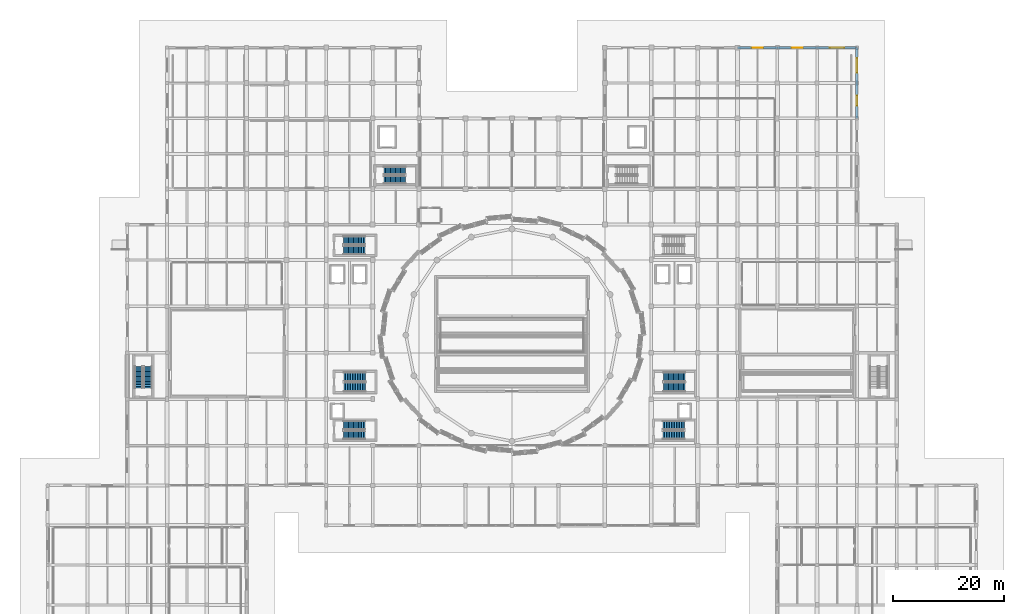
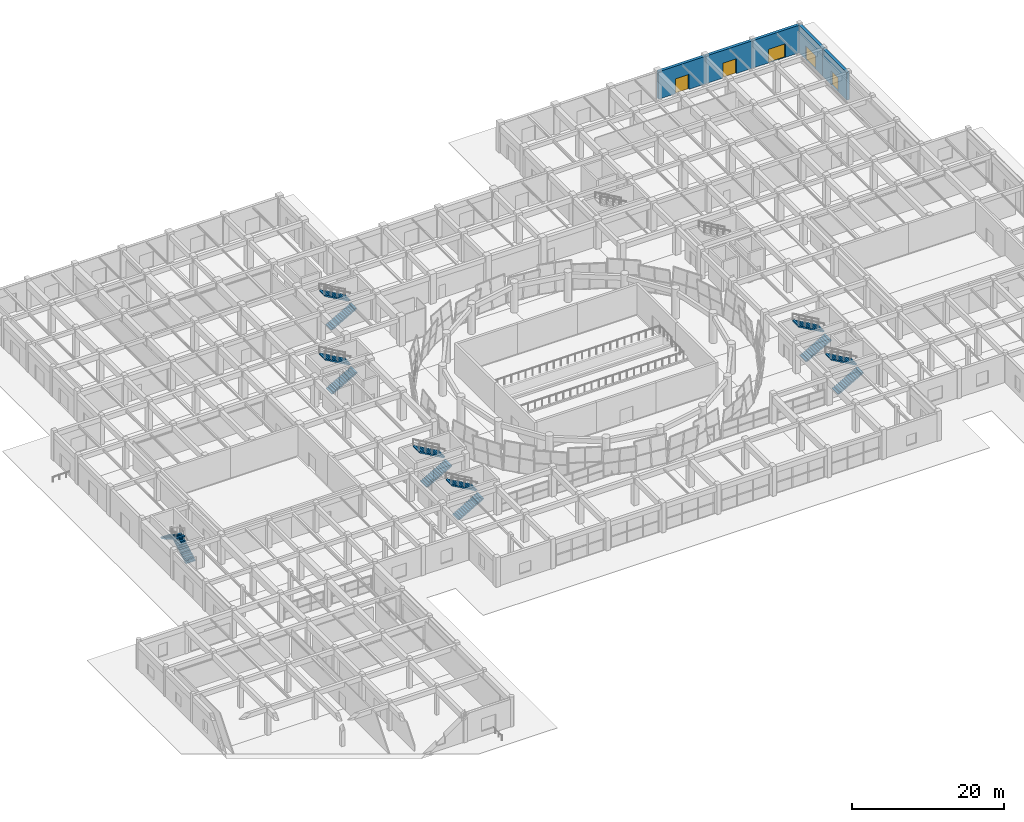
# One storey, part 54 of 72: 14 stair flights, 5 doors, 5 walls, 5 openings, 7 elements without a shape of their own.
"""IFC4 building model written with IfcOpenShell, lengths in metres."""

import ifcopenshell
import ifcopenshell.guid

model = None  # the IFC model being written
_history = None  # IfcOwnerHistory: only IFC2X3 demands one
_inside = {}  # id of a spatial element -> (the spatial element, [elements in it])
_under = {}  # id of a project, library or spatial element -> (it, [spatial elements below it])
_declared = {}  # id of a project -> (the project, [libraries it declares])
_typed = {}  # id of a type object -> (the type object, [elements of that type])
_made_of = {}  # id of a material, layer set ... -> (it, [elements and type objects made of it])


def new_model(schema):
    """Start an empty IFC model of exactly this schema.

    Asked for "IFC4X3", IfcOpenShell would pick the latest addendum, in which some entities
    have other attributes; the version numbers below select the first issue.
    IFC2X3 requires an IfcOwnerHistory on every rooted entity: one is made here for all.
    """
    global model, _history
    if schema == "IFC4X3":
        model = ifcopenshell.file(schema_version=(4, 3, 0, 0))
    else:
        model = ifcopenshell.file(schema=schema)
    _inside.clear()
    _under.clear()
    _declared.clear()
    _typed.clear()
    _made_of.clear()
    _history = None
    if model.schema == "IFC2X3":
        org = make("IfcOrganization", Name="unknown")
        user = make(
            "IfcPersonAndOrganization",
            ThePerson=make("IfcPerson", FamilyName="unknown"),
            TheOrganization=org,
        )
        app = make(
            "IfcApplication",
            ApplicationDeveloper=org,
            Version="unknown",
            ApplicationFullName="unknown",
            ApplicationIdentifier="unknown",
        )
        _history = make(
            "IfcOwnerHistory",
            OwningUser=user,
            OwningApplication=app,
            ChangeAction="ADDED",
            CreationDate=0,
        )
    return model


def make(cls, **values):
    """One entity of the class cls with the attributes given. An attribute that is None is left unset."""
    return model.create_entity(
        cls, **{name: value for name, value in values.items() if value is not None}
    )


def rooted(cls, **values):
    """An entity with a GlobalId (a new one), such as an element, a storey or a relation."""
    return make(cls, GlobalId=ifcopenshell.guid.new(), OwnerHistory=_history, **values)


def si_unit(unit_type, name, prefix=None):
    """IfcSIUnit, for example si_unit("LENGTHUNIT", "METRE", prefix="MILLI")."""
    return make("IfcSIUnit", UnitType=unit_type, Prefix=prefix, Name=name)


def assignment(units):
    """IfcUnitAssignment: the units of a project."""
    return None if units is None else make("IfcUnitAssignment", Units=units)


def point(xyz):
    """IfcCartesianPoint."""
    return None if xyz is None else make("IfcCartesianPoint", Coordinates=xyz)


def direction(xyz):
    """IfcDirection."""
    return None if xyz is None else make("IfcDirection", DirectionRatios=xyz)


def frame(location, z_axis=None, x_axis=None):
    """IfcAxis2Placement3D, a coordinate frame: its origin and axes. An axis left out is left unset."""
    return make(
        "IfcAxis2Placement3D",
        Location=point(location),
        Axis=direction(z_axis),
        RefDirection=direction(x_axis),
    )


def frame_2d(location, x_axis=None):
    """IfcAxis2Placement2D, a coordinate frame in the plane: its origin and x axis."""
    return make(
        "IfcAxis2Placement2D", Location=point(location), RefDirection=direction(x_axis)
    )


def origin():
    """The frame at (0, 0, 0) with its axes left unset."""
    return frame((0.0, 0.0, 0.0))


def place(relative_to, where):
    """IfcLocalPlacement: puts the frame where relative to a parent placement (None: the world)."""
    return make(
        "IfcLocalPlacement", PlacementRelTo=relative_to, RelativePlacement=where
    )


def context(
    kind, dimensions, precision=None, world=None, true_north=None, identifier=None
):
    """IfcGeometricRepresentationContext, for example the 3D "Model" context."""
    return make(
        "IfcGeometricRepresentationContext",
        ContextIdentifier=identifier,
        ContextType=kind,
        CoordinateSpaceDimension=dimensions,
        Precision=precision,
        WorldCoordinateSystem=world,
        TrueNorth=true_north,
    )


def subcontext(parent, identifier, kind, view, scale=None):
    """IfcGeometricRepresentationSubContext, for example "Body" below "Model"."""
    return make(
        "IfcGeometricRepresentationSubContext",
        ContextIdentifier=identifier,
        ContextType=kind,
        ParentContext=parent,
        TargetScale=scale,
        TargetView=view,
    )


def project(units=None, contexts=None):
    """IfcProject with its units and contexts."""
    return rooted(
        "IfcProject",
        Name="project",
        RepresentationContexts=contexts,
        UnitsInContext=assignment(units),
    )


def spatial(cls, under=None, at=None, **own):
    """A site, building, storey or space (cls), placed at a placement, below another one or the project."""
    s = rooted(cls, ObjectPlacement=at, **own)
    if under is not None:
        _under.setdefault(under.id(), (under, []))[1].append(s)
    return s


def polyline(points):
    """IfcPolyline through the points."""
    return make("IfcPolyline", Points=[point(p) for p in points])


def profile(cls, at=None, kind="AREA", **sizes):
    """A parametric profile (cls). Its sizes go by their IFC names, for example OverallWidth=200.0."""
    return make(cls, ProfileType=kind, Position=at, **sizes)


def rectangle(**sizes):
    """IfcRectangleProfileDef."""
    return profile("IfcRectangleProfileDef", **sizes)


def outline(outer, holes=None, kind="AREA"):
    """IfcArbitraryClosedProfileDef: a profile drawn as a closed curve; with holes, ...WithVoids."""
    if holes is None:
        return make("IfcArbitraryClosedProfileDef", ProfileType=kind, OuterCurve=outer)
    return make(
        "IfcArbitraryProfileDefWithVoids",
        ProfileType=kind,
        OuterCurve=outer,
        InnerCurves=holes,
    )


def extrude(swept, where, along, depth):
    """IfcExtrudedAreaSolid: the profile swept, set in the frame where, extruded along a direction by depth."""
    return make(
        "IfcExtrudedAreaSolid",
        SweptArea=swept,
        Position=where,
        ExtrudedDirection=direction(along),
        Depth=depth,
    )


def shape(context_of_items, identifier, shape_type, items):
    """IfcShapeRepresentation: the items that make up one representation, for example the "Body"."""
    return make(
        "IfcShapeRepresentation",
        ContextOfItems=context_of_items,
        RepresentationIdentifier=identifier,
        RepresentationType=shape_type,
        Items=items,
    )


def material(Name=None, Category=None):
    """IfcMaterial."""
    return make("IfcMaterial", Name=Name, Category=Category)


def layer(
    of_material, thickness, ventilated=None, Name=None, Category=None, Priority=None
):
    """IfcMaterialLayer: one layer of a wall or slab, of a material (None: an air gap)."""
    return make(
        "IfcMaterialLayer",
        Material=of_material,
        LayerThickness=thickness,
        IsVentilated=ventilated,
        Name=Name,
        Category=Category,
        Priority=Priority,
    )


def layer_set(layers, Name=None):
    """IfcMaterialLayerSet."""
    return make("IfcMaterialLayerSet", MaterialLayers=layers, LayerSetName=Name)


def made_of(thing, what):
    """Note that an element or type object is made of a material, layer set ...; save() writes the relation."""
    if what is not None:
        _made_of.setdefault(what.id(), (what, []))[1].append(thing)
    return thing


def type_object(cls, material=None, **own):
    """A type object (cls), such as IfcWallType, which elements share."""
    return made_of(rooted(cls, **own), material)


def element(
    cls,
    number,
    at=None,
    inside=None,
    cuts=None,
    type_object=None,
    material=None,
    context=None,
    identifier="Body",
    shape_type=None,
    held_by="IfcProductDefinitionShape",
    body=None,
    shapes=None,
    **own,
):
    """One element of the class cls, such as IfcWall. Its Tag is "e" and its number.

    at: its placement. inside: the storey or other place that contains it. cuts: it is an
    opening in that element (IfcRelVoidsElement). A single representation is given by context,
    identifier, shape_type and body (its items); several are given by shapes. held_by: the class
    of the entity that holds the representations. save() writes the other relations.
    """
    e = rooted(cls, Tag="e%d" % number, ObjectPlacement=at, **own)
    if body is not None:
        shapes = [shape(context, identifier, shape_type, body)]
    if shapes is not None:
        e.Representation = make(held_by, Representations=shapes)
    if inside is not None:
        _inside.setdefault(inside.id(), (inside, []))[1].append(e)
    if cuts is not None:
        rooted(
            "IfcRelVoidsElement", RelatingBuildingElement=cuts, RelatedOpeningElement=e
        )
    if type_object is not None:
        _typed.setdefault(type_object.id(), (type_object, []))[1].append(e)
    return made_of(e, material)


def fill(opening, filler):
    """IfcRelFillsElement: the door or window that sits in an opening."""
    return rooted(
        "IfcRelFillsElement",
        RelatingOpeningElement=opening,
        RelatedBuildingElement=filler,
    )


def aggregate(whole, parts):
    """IfcRelAggregates: a whole, such as a stair, and the parts it consists of."""
    return rooted("IfcRelAggregates", RelatingObject=whole, RelatedObjects=parts)


def save(model, path):
    """Write the relations noted so far, then the file.

    IfcRelAggregates (storeys below a building ...), IfcRelContainedInSpatialStructure (elements
    in a storey), IfcRelDefinesByType, IfcRelAssociatesMaterial and IfcRelDeclares: one each for
    every whole, place, type object, material and project.
    """
    for whole, parts in _under.values():
        aggregate(whole, parts)
    for where, things in _inside.values():
        rooted(
            "IfcRelContainedInSpatialStructure",
            RelatedElements=things,
            RelatingStructure=where,
        )
    for kind, things in _typed.values():
        rooted("IfcRelDefinesByType", RelatedObjects=things, RelatingType=kind)
    for what, things in _made_of.values():
        rooted("IfcRelAssociatesMaterial", RelatedObjects=things, RelatingMaterial=what)
    for by, libraries in _declared.values():
        rooted("IfcRelDeclares", RelatingContext=by, RelatedDefinitions=libraries)
    model.write(path)


model = new_model("IFC4")

# Units and contexts
model_context = context("Model", 3, precision=1e-05, world=origin(), true_north=direction((0.0, 1.0)))
body_context = subcontext(model_context, "Body", "Model", "MODEL_VIEW")
ifc_project = project(units=[si_unit("LENGTHUNIT", "METRE"), si_unit("AREAUNIT", "SQUARE_METRE"), si_unit("VOLUMEUNIT", "CUBIC_METRE"), si_unit("PLANEANGLEUNIT", "RADIAN"), si_unit("MASSUNIT", "GRAM", prefix="KILO")], contexts=[model_context])

# Site, building, storey
site_placement = place(None, origin())
site = spatial("IfcSite", under=ifc_project, at=site_placement, CompositionType="ELEMENT")
building_placement = place(site_placement, origin())
building = spatial("IfcBuilding", under=site, at=building_placement, Name="Korsvaeld Concert Hall", CompositionType="ELEMENT")
storey_placement = place(building_placement, origin())
storey = spatial("IfcBuildingStorey", under=building, at=storey_placement, Name="L00", CompositionType="ELEMENT", Elevation=0.0)

# Wall, opening, door
ifc_material_1 = material(Name="Coastal dark grey granite plinth on Concrete C35/45", Category="masonry")
ifc_layer = layer(ifc_material_1, 0.43994140625)
ifc_layer_set = layer_set([ifc_layer], Name="Coastal dark grey granite plinth on Concrete C35/45")
wall_type = type_object("IfcWallType", Name="WL-EXT-GRAN-440", PredefinedType="STANDARD", material=ifc_layer_set)
wall_1_placement = place(storey_placement, frame((124.800048828125, 115.199951171875, 0.0), z_axis=(0.0, 0.0, 1.0), x_axis=(1.0, 0.0, 0.0)))
wall_1 = element("IfcWall", 1, at=wall_1_placement, inside=storey, type_object=wall_type, Name="Exterior sandstone wall L00-082", PredefinedType="STANDARD", context=body_context, shape_type="SweptSolid", body=[
    extrude(rectangle(XDim=7.199951171875, YDim=0.43994140625, at=frame_2d((3.60009765625, 0.0))), origin(), (0.0, 0.0, 1.0), 4.43994140625),
])
opening_1_placement = place(wall_1_placement, frame((2.580078125, 0.0, 0.0)))
opening_1 = element("IfcOpeningElement", 2, at=opening_1_placement, cuts=wall_1, Name="Opening ED-03", PredefinedType="OPENING", context=body_context, shape_type="SweptSolid", body=[
    extrude(rectangle(XDim=2.0400390625, YDim=2.39990234375, at=frame_2d((1.02001953125, 1.199951171875))), frame((0.0, 0.22998046875, 0.0), z_axis=(0.0, -1.0, 0.0), x_axis=(1.0, 0.0, 0.0)), (0.0, 0.0, 1.0), 0.4599609375),
])
ifc_material_2 = material(Name="Anodised bronze glazed exit door")
door_type_1 = type_object("IfcDoorType", Name="DR-EXT-204x240", OperationType="DOUBLE_DOOR_SINGLE_SWING", PredefinedType="DOOR", material=ifc_material_2)
door_1_placement = place(opening_1_placement, frame((2.0400390625, 0.0, 0.0), z_axis=(0.0, 0.0, 1.0), x_axis=(-1.0, 0.0, 0.0)))
door_1 = element("IfcDoor", 3, at=door_1_placement, inside=storey, type_object=door_type_1, Name="Ground plaza pedestrian exit door EX-27", OperationType="DOUBLE_DOOR_SINGLE_SWING", OverallHeight=2.39990234375, OverallWidth=2.0400390625, PredefinedType="DOOR", context=body_context, shape_type="SweptSolid", body=[
    extrude(rectangle(XDim=2.0400390625, YDim=2.39990234375, at=frame_2d((1.02001953125, 1.199951171875))), frame((0.0, 0.02490234375, 0.0), z_axis=(0.0, -1.0, 0.0), x_axis=(1.0, 0.0, 0.0)), (0.0, 0.0, 1.0), 0.050048828125),
])
fill(opening_1, door_1)

wall_2_placement = place(storey_placement, frame((132.0, 115.199951171875, 0.0), z_axis=(0.0, 0.0, 1.0), x_axis=(1.0, 0.0, 0.0)))
wall_2 = element("IfcWall", 4, at=wall_2_placement, inside=storey, type_object=wall_type, Name="Exterior sandstone wall L00-083", PredefinedType="STANDARD", context=body_context, shape_type="SweptSolid", body=[
    extrude(rectangle(XDim=7.199951171875, YDim=0.43994140625, at=frame_2d((3.60009765625, 0.0))), origin(), (0.0, 0.0, 1.0), 4.43994140625),
])
opening_2_placement = place(wall_2_placement, frame((2.580078125, 0.0, 0.0)))
opening_2 = element("IfcOpeningElement", 5, at=opening_2_placement, cuts=wall_2, Name="Opening ED-03", PredefinedType="OPENING", context=body_context, shape_type="SweptSolid", body=[
    extrude(rectangle(XDim=2.0400390625, YDim=2.39990234375, at=frame_2d((1.02001953125, 1.199951171875))), frame((0.0, 0.22998046875, 0.0), z_axis=(0.0, -1.0, 0.0), x_axis=(1.0, 0.0, 0.0)), (0.0, 0.0, 1.0), 0.4599609375),
])
door_2_placement = place(opening_2_placement, frame((2.0400390625, 0.0, 0.0), z_axis=(0.0, 0.0, 1.0), x_axis=(-1.0, 0.0, 0.0)))
door_2 = element("IfcDoor", 6, at=door_2_placement, inside=storey, type_object=door_type_1, Name="Ground plaza pedestrian exit door EX-28", OperationType="DOUBLE_DOOR_SINGLE_SWING", OverallHeight=2.39990234375, OverallWidth=2.0400390625, PredefinedType="DOOR", context=body_context, shape_type="SweptSolid", body=[
    extrude(rectangle(XDim=2.0400390625, YDim=2.39990234375, at=frame_2d((1.02001953125, 1.199951171875))), frame((0.0, 0.02490234375, 0.0), z_axis=(0.0, -1.0, 0.0), x_axis=(1.0, 0.0, 0.0)), (0.0, 0.0, 1.0), 0.050048828125),
])
fill(opening_2, door_2)

wall_3_placement = place(storey_placement, frame((139.199951171875, 115.199951171875, 0.0), z_axis=(0.0, 0.0, 1.0), x_axis=(1.0, 0.0, 0.0)))
wall_3 = element("IfcWall", 7, at=wall_3_placement, inside=storey, type_object=wall_type, Name="Exterior sandstone wall L00-084", PredefinedType="STANDARD", context=body_context, shape_type="SweptSolid", body=[
    extrude(rectangle(XDim=7.199951171875, YDim=0.43994140625, at=frame_2d((3.60009765625, 0.0))), origin(), (0.0, 0.0, 1.0), 4.43994140625),
])
opening_3_placement = place(wall_3_placement, frame((2.300048828125, 0.0, 0.0)))
opening_3 = element("IfcOpeningElement", 8, at=opening_3_placement, cuts=wall_3, Name="Opening GT-01", PredefinedType="OPENING", context=body_context, shape_type="SweptSolid", body=[
    extrude(rectangle(XDim=2.60009765625, YDim=2.199951171875, at=frame_2d((1.300048828125, 1.10009765625))), frame((0.0, 0.22998046875, 0.0), z_axis=(0.0, -1.0, 0.0), x_axis=(1.0, 0.0, 0.0)), (0.0, 0.0, 1.0), 0.4599609375),
])
ifc_material_3 = material(Name="Anodised bronze service court gate")
door_type_2 = type_object("IfcDoorType", Name="DR-GATE-260x220", OperationType="DOUBLE_DOOR_SINGLE_SWING", PredefinedType="GATE", material=ifc_material_3)
door_3_placement = place(opening_3_placement, frame((2.60009765625, 0.0, 0.0), z_axis=(0.0, 0.0, 1.0), x_axis=(-1.0, 0.0, 0.0)))
door_3 = element("IfcDoor", 9, at=door_3_placement, inside=storey, type_object=door_type_2, Name="Cycle hub and service court gate GT-02", OperationType="DOUBLE_DOOR_SINGLE_SWING", OverallHeight=2.199951171875, OverallWidth=2.60009765625, PredefinedType="GATE", context=body_context, shape_type="SweptSolid", body=[
    extrude(rectangle(XDim=2.60009765625, YDim=2.199951171875, at=frame_2d((1.300048828125, 1.10009765625))), frame((0.0, 0.02490234375, 0.0), z_axis=(0.0, -1.0, 0.0), x_axis=(1.0, 0.0, 0.0)), (0.0, 0.0, 1.0), 0.050048828125),
])
fill(opening_3, door_3)

wall_4_placement = place(storey_placement, frame((146.39990234375, 115.199951171875, 0.0), z_axis=(0.0, 0.0, 1.0), x_axis=(0.0, -1.0, 0.0)))
wall_4 = element("IfcWall", 10, at=wall_4_placement, inside=storey, type_object=wall_type, Name="Exterior sandstone wall L00-085", PredefinedType="STANDARD", context=body_context, shape_type="SweptSolid", body=[
    extrude(rectangle(XDim=6.39990234375, YDim=0.43994140625, at=frame_2d((3.199951171875, 0.0))), origin(), (0.0, 0.0, 1.0), 4.43994140625),
])
opening_4_placement = place(wall_4_placement, frame((1.89990234375, 0.0, 0.0)))
opening_4 = element("IfcOpeningElement", 11, at=opening_4_placement, cuts=wall_4, Name="Opening GT-01", PredefinedType="OPENING", context=body_context, shape_type="SweptSolid", body=[
    extrude(rectangle(XDim=2.60009765625, YDim=2.199951171875, at=frame_2d((1.300048828125, 1.10009765625))), frame((0.0, 0.22998046875, 0.0), z_axis=(0.0, -1.0, 0.0), x_axis=(1.0, 0.0, 0.0)), (0.0, 0.0, 1.0), 0.4599609375),
])
door_4_placement = place(opening_4_placement, frame((2.60009765625, 0.0, 0.0), z_axis=(0.0, 0.0, 1.0), x_axis=(-1.0, 0.0, 0.0)))
door_4 = element("IfcDoor", 12, at=door_4_placement, inside=storey, type_object=door_type_2, Name="Cycle hub and service court gate GT-03", OperationType="DOUBLE_DOOR_SINGLE_SWING", OverallHeight=2.199951171875, OverallWidth=2.60009765625, PredefinedType="GATE", context=body_context, shape_type="SweptSolid", body=[
    extrude(rectangle(XDim=2.60009765625, YDim=2.199951171875, at=frame_2d((1.300048828125, 1.10009765625))), frame((0.0, 0.02490234375, 0.0), z_axis=(0.0, -1.0, 0.0), x_axis=(1.0, 0.0, 0.0)), (0.0, 0.0, 1.0), 0.050048828125),
])
fill(opening_4, door_4)

wall_5_placement = place(storey_placement, frame((146.39990234375, 108.800048828125, 0.0), z_axis=(0.0, 0.0, 1.0), x_axis=(0.0, -1.0, 0.0)))
wall_5 = element("IfcWall", 13, at=wall_5_placement, inside=storey, type_object=wall_type, Name="Exterior sandstone wall L00-086", PredefinedType="STANDARD", context=body_context, shape_type="SweptSolid", body=[
    extrude(rectangle(XDim=6.400146484375, YDim=0.43994140625, at=frame_2d((3.2001953125, 0.0))), origin(), (0.0, 0.0, 1.0), 4.43994140625),
])
opening_5_placement = place(wall_5_placement, frame((2.300048828125, 0.0, 0.0)))
opening_5 = element("IfcOpeningElement", 14, at=opening_5_placement, cuts=wall_5, Name="Opening GT-02", PredefinedType="OPENING", context=body_context, shape_type="SweptSolid", body=[
    extrude(rectangle(XDim=1.800048828125, YDim=2.199951171875, at=frame_2d((0.89990234375, 1.10009765625))), frame((0.0, 0.22998046875, 0.0), z_axis=(0.0, -1.0, 0.0), x_axis=(1.0, 0.0, 0.0)), (0.0, 0.0, 1.0), 0.4599609375),
])
ifc_material_4 = material(Name="Anodised bronze cycle hub gate")
door_type_3 = type_object("IfcDoorType", Name="DR-GATE-180x220", OperationType="DOUBLE_DOOR_SINGLE_SWING", PredefinedType="GATE", material=ifc_material_4)
door_5_placement = place(opening_5_placement, frame((1.800048828125, 0.0, 0.0), z_axis=(0.0, 0.0, 1.0), x_axis=(-1.0, 0.0, 0.0)))
door_5 = element("IfcDoor", 15, at=door_5_placement, inside=storey, type_object=door_type_3, Name="Cycle hub and service court gate GT-04", OperationType="DOUBLE_DOOR_SINGLE_SWING", OverallHeight=2.199951171875, OverallWidth=1.800048828125, PredefinedType="GATE", context=body_context, shape_type="SweptSolid", body=[
    extrude(rectangle(XDim=1.800048828125, YDim=2.199951171875, at=frame_2d((0.89990234375, 1.10009765625))), frame((0.0, 0.02490234375, 0.0), z_axis=(0.0, -1.0, 0.0), x_axis=(1.0, 0.0, 0.0)), (0.0, 0.0, 1.0), 0.050048828125),
])
fill(opening_5, door_5)

# Stair, stair flights
ifc_material_5 = material(Name="Precast concrete C40/50", Category="concrete")
stair_type_1 = type_object("IfcStairType", Name="STR-HT-145-48", PredefinedType="HALF_TURN_STAIR", material=ifc_material_5)
stair_1_placement = place(storey_placement, origin())
stair_1 = element("IfcStair", 16, at=stair_1_placement, inside=storey, type_object=stair_type_1, Name="L00 ST-K5", PredefinedType="HALF_TURN_STAIR")
stair_flight_type_1 = type_object("IfcStairFlightType", Name="STF-STR-145-48", PredefinedType="STRAIGHT", material=ifc_material_5)
stair_flight_1_placement = place(storey_placement, frame((60.820068359375, 91.294921875, 0.0), z_axis=(0.0, 0.0, 1.0), x_axis=(1.0, 0.0, 0.0)))
stair_flight_1 = element("IfcStairFlight", 17, at=stair_flight_1_placement, type_object=stair_flight_type_1, Name="ST-K5 flight 1", NumberOfRisers=14, NumberOfTreads=13, PredefinedType="STRAIGHT", RiserHeight=0.171428571, TreadLength=0.3, context=body_context, shape_type="SweptSolid", body=[
    extrude(outline(polyline([(0.0, 0.0), (0.0, 0.17138671875), (0.300048828125, 0.17138671875), (0.300048828125, 0.3427734375), (0.60009765625, 0.3427734375), (0.60009765625, 0.514404296875), (0.89990234375, 0.514404296875), (0.89990234375, 0.685791015625), (1.199951171875, 0.685791015625), (1.199951171875, 0.857177734375), (1.5, 0.857177734375), (1.5, 1.028564453125), (1.800048828125, 1.028564453125), (1.800048828125, 1.199951171875), (2.10009765625, 1.199951171875), (2.10009765625, 1.371337890625), (2.39990234375, 1.371337890625), (2.39990234375, 1.54296875), (2.699951171875, 1.54296875), (2.699951171875, 1.71435546875), (3.0, 1.71435546875), (3.0, 1.8857421875), (3.300048828125, 1.8857421875), (3.300048828125, 2.05712890625), (3.60009765625, 2.05712890625), (3.60009765625, 2.228515625), (3.89990234375, 2.228515625), (3.89990234375, 2.39990234375), (3.89990234375, 2.055908203125), (0.30224609375, 0.0), (0.0, 0.0)])), frame((0.0, 0.72509765625, 0.0), z_axis=(0.0, -1.0, 0.0), x_axis=(1.0, 0.0, 0.0)), (0.0, 0.0, 1.0), 1.449951171875),
])
stair_flight_2_placement = place(storey_placement, frame((64.719970703125, 92.945068359375, 2.39990234375), z_axis=(0.0, 0.0, 1.0), x_axis=(-1.0, 0.0, 0.0)))
stair_flight_2 = element("IfcStairFlight", 18, at=stair_flight_2_placement, type_object=stair_flight_type_1, Name="ST-K5 flight 2", NumberOfRisers=14, NumberOfTreads=13, PredefinedType="STRAIGHT", RiserHeight=0.171428571, TreadLength=0.3, context=body_context, shape_type="SweptSolid", body=[
    extrude(outline(polyline([(0.0, 0.0), (0.0, 0.17138671875), (0.300048828125, 0.17138671875), (0.300048828125, 0.3427734375), (0.60009765625, 0.3427734375), (0.60009765625, 0.514404296875), (0.89990234375, 0.514404296875), (0.89990234375, 0.685791015625), (1.199951171875, 0.685791015625), (1.199951171875, 0.857177734375), (1.5, 0.857177734375), (1.5, 1.028564453125), (1.800048828125, 1.028564453125), (1.800048828125, 1.199951171875), (2.10009765625, 1.199951171875), (2.10009765625, 1.371337890625), (2.39990234375, 1.371337890625), (2.39990234375, 1.54296875), (2.699951171875, 1.54296875), (2.699951171875, 1.71435546875), (3.0, 1.71435546875), (3.0, 1.8857421875), (3.300048828125, 1.8857421875), (3.300048828125, 2.05712890625), (3.60009765625, 2.05712890625), (3.60009765625, 2.228515625), (3.89990234375, 2.228515625), (3.89990234375, 2.39990234375), (3.89990234375, 2.055908203125), (0.30224609375, 0.0), (0.0, 0.0)])), frame((0.0, 0.72509765625, 0.0), z_axis=(0.0, -1.0, 0.0), x_axis=(1.0, 0.0, 0.0)), (0.0, 0.0, 1.0), 1.449951171875),
])
aggregate(stair_1, [stair_flight_1, stair_flight_2])

stair_2_placement = place(storey_placement, origin())
stair_2 = element("IfcStair", 19, at=stair_2_placement, inside=storey, type_object=stair_type_1, Name="L00 ST-F3", PredefinedType="HALF_TURN_STAIR")
stair_flight_3_placement = place(storey_placement, frame((18.14501953125, 53.6201171875, 0.0), z_axis=(0.0, 0.0, 1.0), x_axis=(0.0, 1.0, 0.0)))
stair_flight_3 = element("IfcStairFlight", 20, at=stair_flight_3_placement, type_object=stair_flight_type_1, Name="ST-F3 flight 1", NumberOfRisers=14, NumberOfTreads=13, PredefinedType="STRAIGHT", RiserHeight=0.171428571, TreadLength=0.3, context=body_context, shape_type="SweptSolid", body=[
    extrude(outline(polyline([(0.0, 0.0), (0.0, 0.17138671875), (0.300048828125, 0.17138671875), (0.300048828125, 0.3427734375), (0.60009765625, 0.3427734375), (0.60009765625, 0.514404296875), (0.89990234375, 0.514404296875), (0.89990234375, 0.685791015625), (1.199951171875, 0.685791015625), (1.199951171875, 0.857177734375), (1.5, 0.857177734375), (1.5, 1.028564453125), (1.800048828125, 1.028564453125), (1.800048828125, 1.199951171875), (2.10009765625, 1.199951171875), (2.10009765625, 1.371337890625), (2.39990234375, 1.371337890625), (2.39990234375, 1.54296875), (2.699951171875, 1.54296875), (2.699951171875, 1.71435546875), (3.0, 1.71435546875), (3.0, 1.8857421875), (3.300048828125, 1.8857421875), (3.300048828125, 2.05712890625), (3.60009765625, 2.05712890625), (3.60009765625, 2.228515625), (3.89990234375, 2.228515625), (3.89990234375, 2.39990234375), (3.89990234375, 2.055908203125), (0.30224609375, 0.0), (0.0, 0.0)])), frame((0.0, 0.72509765625, 0.0), z_axis=(0.0, -1.0, 0.0), x_axis=(1.0, 0.0, 0.0)), (0.0, 0.0, 1.0), 1.449951171875),
])
stair_flight_4_placement = place(storey_placement, frame((16.4951171875, 57.52001953125, 2.39990234375), z_axis=(0.0, 0.0, 1.0), x_axis=(0.0, -1.0, 0.0)))
stair_flight_4 = element("IfcStairFlight", 21, at=stair_flight_4_placement, type_object=stair_flight_type_1, Name="ST-F3 flight 2", NumberOfRisers=14, NumberOfTreads=13, PredefinedType="STRAIGHT", RiserHeight=0.171428571, TreadLength=0.3, context=body_context, shape_type="SweptSolid", body=[
    extrude(outline(polyline([(0.0, 0.0), (0.0, 0.17138671875), (0.300048828125, 0.17138671875), (0.300048828125, 0.3427734375), (0.60009765625, 0.3427734375), (0.60009765625, 0.514404296875), (0.89990234375, 0.514404296875), (0.89990234375, 0.685791015625), (1.199951171875, 0.685791015625), (1.199951171875, 0.857177734375), (1.5, 0.857177734375), (1.5, 1.028564453125), (1.800048828125, 1.028564453125), (1.800048828125, 1.199951171875), (2.10009765625, 1.199951171875), (2.10009765625, 1.371337890625), (2.39990234375, 1.371337890625), (2.39990234375, 1.54296875), (2.699951171875, 1.54296875), (2.699951171875, 1.71435546875), (3.0, 1.71435546875), (3.0, 1.8857421875), (3.300048828125, 1.8857421875), (3.300048828125, 2.05712890625), (3.60009765625, 2.05712890625), (3.60009765625, 2.228515625), (3.89990234375, 2.228515625), (3.89990234375, 2.39990234375), (3.89990234375, 2.055908203125), (0.30224609375, 0.0), (0.0, 0.0)])), frame((0.0, 0.72509765625, 0.0), z_axis=(0.0, -1.0, 0.0), x_axis=(1.0, 0.0, 0.0)), (0.0, 0.0, 1.0), 1.449951171875),
])
aggregate(stair_2, [stair_flight_3, stair_flight_4])

stair_type_2 = type_object("IfcStairType", Name="STR-HT-155-48", PredefinedType="HALF_TURN_STAIR", material=ifc_material_5)
stair_3_placement = place(storey_placement, origin())
stair_3 = element("IfcStair", 22, at=stair_3_placement, inside=storey, type_object=stair_type_2, Name="L00 ST-K1", PredefinedType="HALF_TURN_STAIR")
stair_flight_type_2 = type_object("IfcStairFlightType", Name="STF-STR-155-48", PredefinedType="STRAIGHT", material=ifc_material_5)
stair_flight_5_placement = place(storey_placement, frame((53.52001953125, 78.544921875, 0.0), z_axis=(0.0, 0.0, 1.0), x_axis=(1.0, 0.0, 0.0)))
stair_flight_5 = element("IfcStairFlight", 23, at=stair_flight_5_placement, type_object=stair_flight_type_2, Name="ST-K1 flight 1", NumberOfRisers=14, NumberOfTreads=13, PredefinedType="STRAIGHT", RiserHeight=0.171428571, TreadLength=0.3, context=body_context, shape_type="SweptSolid", body=[
    extrude(outline(polyline([(0.0, 0.0), (0.0, 0.17138671875), (0.300048828125, 0.17138671875), (0.300048828125, 0.3427734375), (0.60009765625, 0.3427734375), (0.60009765625, 0.514404296875), (0.89990234375, 0.514404296875), (0.89990234375, 0.685791015625), (1.199951171875, 0.685791015625), (1.199951171875, 0.857177734375), (1.5, 0.857177734375), (1.5, 1.028564453125), (1.800048828125, 1.028564453125), (1.800048828125, 1.199951171875), (2.10009765625, 1.199951171875), (2.10009765625, 1.371337890625), (2.39990234375, 1.371337890625), (2.39990234375, 1.54296875), (2.699951171875, 1.54296875), (2.699951171875, 1.71435546875), (3.0, 1.71435546875), (3.0, 1.8857421875), (3.300048828125, 1.8857421875), (3.300048828125, 2.05712890625), (3.60009765625, 2.05712890625), (3.60009765625, 2.228515625), (3.89990234375, 2.228515625), (3.89990234375, 2.39990234375), (3.89990234375, 2.055908203125), (0.30224609375, 0.0), (0.0, 0.0)])), frame((0.0, 0.77490234375, 0.0), z_axis=(0.0, -1.0, 0.0), x_axis=(1.0, 0.0, 0.0)), (0.0, 0.0, 1.0), 1.550048828125),
])
stair_flight_6_placement = place(storey_placement, frame((57.419921875, 80.294921875, 2.39990234375), z_axis=(0.0, 0.0, 1.0), x_axis=(-1.0, 0.0, 0.0)))
stair_flight_6 = element("IfcStairFlight", 24, at=stair_flight_6_placement, type_object=stair_flight_type_2, Name="ST-K1 flight 2", NumberOfRisers=14, NumberOfTreads=13, PredefinedType="STRAIGHT", RiserHeight=0.171428571, TreadLength=0.3, context=body_context, shape_type="SweptSolid", body=[
    extrude(outline(polyline([(0.0, 0.0), (0.0, 0.17138671875), (0.300048828125, 0.17138671875), (0.300048828125, 0.3427734375), (0.60009765625, 0.3427734375), (0.60009765625, 0.514404296875), (0.89990234375, 0.514404296875), (0.89990234375, 0.685791015625), (1.199951171875, 0.685791015625), (1.199951171875, 0.857177734375), (1.5, 0.857177734375), (1.5, 1.028564453125), (1.800048828125, 1.028564453125), (1.800048828125, 1.199951171875), (2.10009765625, 1.199951171875), (2.10009765625, 1.371337890625), (2.39990234375, 1.371337890625), (2.39990234375, 1.54296875), (2.699951171875, 1.54296875), (2.699951171875, 1.71435546875), (3.0, 1.71435546875), (3.0, 1.8857421875), (3.300048828125, 1.8857421875), (3.300048828125, 2.05712890625), (3.60009765625, 2.05712890625), (3.60009765625, 2.228515625), (3.89990234375, 2.228515625), (3.89990234375, 2.39990234375), (3.89990234375, 2.055908203125), (0.30224609375, 0.0), (0.0, 0.0)])), frame((0.0, 0.77490234375, 0.0), z_axis=(0.0, -1.0, 0.0), x_axis=(1.0, 0.0, 0.0)), (0.0, 0.0, 1.0), 1.550048828125),
])
aggregate(stair_3, [stair_flight_5, stair_flight_6])

stair_4_placement = place(storey_placement, origin())
stair_4 = element("IfcStair", 25, at=stair_4_placement, inside=storey, type_object=stair_type_2, Name="L00 ST-K3", PredefinedType="HALF_TURN_STAIR")
stair_flight_7_placement = place(storey_placement, frame((53.52001953125, 45.14501953125, 0.0), z_axis=(0.0, 0.0, 1.0), x_axis=(1.0, 0.0, 0.0)))
stair_flight_7 = element("IfcStairFlight", 26, at=stair_flight_7_placement, type_object=stair_flight_type_2, Name="ST-K3 flight 1", NumberOfRisers=14, NumberOfTreads=13, PredefinedType="STRAIGHT", RiserHeight=0.171428571, TreadLength=0.3, context=body_context, shape_type="SweptSolid", body=[
    extrude(outline(polyline([(0.0, 0.0), (0.0, 0.17138671875), (0.300048828125, 0.17138671875), (0.300048828125, 0.3427734375), (0.60009765625, 0.3427734375), (0.60009765625, 0.514404296875), (0.89990234375, 0.514404296875), (0.89990234375, 0.685791015625), (1.199951171875, 0.685791015625), (1.199951171875, 0.857177734375), (1.5, 0.857177734375), (1.5, 1.028564453125), (1.800048828125, 1.028564453125), (1.800048828125, 1.199951171875), (2.10009765625, 1.199951171875), (2.10009765625, 1.371337890625), (2.39990234375, 1.371337890625), (2.39990234375, 1.54296875), (2.699951171875, 1.54296875), (2.699951171875, 1.71435546875), (3.0, 1.71435546875), (3.0, 1.8857421875), (3.300048828125, 1.8857421875), (3.300048828125, 2.05712890625), (3.60009765625, 2.05712890625), (3.60009765625, 2.228515625), (3.89990234375, 2.228515625), (3.89990234375, 2.39990234375), (3.89990234375, 2.055908203125), (0.30224609375, 0.0), (0.0, 0.0)])), frame((0.0, 0.77490234375, 0.0), z_axis=(0.0, -1.0, 0.0), x_axis=(1.0, 0.0, 0.0)), (0.0, 0.0, 1.0), 1.550048828125),
])
stair_flight_8_placement = place(storey_placement, frame((57.419921875, 46.89501953125, 2.39990234375), z_axis=(0.0, 0.0, 1.0), x_axis=(-1.0, 0.0, 0.0)))
stair_flight_8 = element("IfcStairFlight", 27, at=stair_flight_8_placement, type_object=stair_flight_type_2, Name="ST-K3 flight 2", NumberOfRisers=14, NumberOfTreads=13, PredefinedType="STRAIGHT", RiserHeight=0.171428571, TreadLength=0.3, context=body_context, shape_type="SweptSolid", body=[
    extrude(outline(polyline([(0.0, 0.0), (0.0, 0.17138671875), (0.300048828125, 0.17138671875), (0.300048828125, 0.3427734375), (0.60009765625, 0.3427734375), (0.60009765625, 0.514404296875), (0.89990234375, 0.514404296875), (0.89990234375, 0.685791015625), (1.199951171875, 0.685791015625), (1.199951171875, 0.857177734375), (1.5, 0.857177734375), (1.5, 1.028564453125), (1.800048828125, 1.028564453125), (1.800048828125, 1.199951171875), (2.10009765625, 1.199951171875), (2.10009765625, 1.371337890625), (2.39990234375, 1.371337890625), (2.39990234375, 1.54296875), (2.699951171875, 1.54296875), (2.699951171875, 1.71435546875), (3.0, 1.71435546875), (3.0, 1.8857421875), (3.300048828125, 1.8857421875), (3.300048828125, 2.05712890625), (3.60009765625, 2.05712890625), (3.60009765625, 2.228515625), (3.89990234375, 2.228515625), (3.89990234375, 2.39990234375), (3.89990234375, 2.055908203125), (0.30224609375, 0.0), (0.0, 0.0)])), frame((0.0, 0.77490234375, 0.0), z_axis=(0.0, -1.0, 0.0), x_axis=(1.0, 0.0, 0.0)), (0.0, 0.0, 1.0), 1.550048828125),
])
aggregate(stair_4, [stair_flight_7, stair_flight_8])

stair_5_placement = place(storey_placement, origin())
stair_5 = element("IfcStair", 28, at=stair_5_placement, inside=storey, type_object=stair_type_2, Name="L00 ST-K4", PredefinedType="HALF_TURN_STAIR")
stair_flight_9_placement = place(storey_placement, frame((111.320068359375, 45.14501953125, 0.0), z_axis=(0.0, 0.0, 1.0), x_axis=(1.0, 0.0, 0.0)))
stair_flight_9 = element("IfcStairFlight", 29, at=stair_flight_9_placement, type_object=stair_flight_type_2, Name="ST-K4 flight 1", NumberOfRisers=14, NumberOfTreads=13, PredefinedType="STRAIGHT", RiserHeight=0.171428571, TreadLength=0.3, context=body_context, shape_type="SweptSolid", body=[
    extrude(outline(polyline([(0.0, 0.0), (0.0, 0.17138671875), (0.300048828125, 0.17138671875), (0.300048828125, 0.3427734375), (0.60009765625, 0.3427734375), (0.60009765625, 0.514404296875), (0.89990234375, 0.514404296875), (0.89990234375, 0.685791015625), (1.199951171875, 0.685791015625), (1.199951171875, 0.857177734375), (1.5, 0.857177734375), (1.5, 1.028564453125), (1.800048828125, 1.028564453125), (1.800048828125, 1.199951171875), (2.10009765625, 1.199951171875), (2.10009765625, 1.371337890625), (2.39990234375, 1.371337890625), (2.39990234375, 1.54296875), (2.699951171875, 1.54296875), (2.699951171875, 1.71435546875), (3.0, 1.71435546875), (3.0, 1.8857421875), (3.300048828125, 1.8857421875), (3.300048828125, 2.05712890625), (3.60009765625, 2.05712890625), (3.60009765625, 2.228515625), (3.89990234375, 2.228515625), (3.89990234375, 2.39990234375), (3.89990234375, 2.055908203125), (0.30224609375, 0.0), (0.0, 0.0)])), frame((0.0, 0.77490234375, 0.0), z_axis=(0.0, -1.0, 0.0), x_axis=(1.0, 0.0, 0.0)), (0.0, 0.0, 1.0), 1.550048828125),
])
stair_flight_10_placement = place(storey_placement, frame((115.219970703125, 46.89501953125, 2.39990234375), z_axis=(0.0, 0.0, 1.0), x_axis=(-1.0, 0.0, 0.0)))
stair_flight_10 = element("IfcStairFlight", 30, at=stair_flight_10_placement, type_object=stair_flight_type_2, Name="ST-K4 flight 2", NumberOfRisers=14, NumberOfTreads=13, PredefinedType="STRAIGHT", RiserHeight=0.171428571, TreadLength=0.3, context=body_context, shape_type="SweptSolid", body=[
    extrude(outline(polyline([(0.0, 0.0), (0.0, 0.17138671875), (0.300048828125, 0.17138671875), (0.300048828125, 0.3427734375), (0.60009765625, 0.3427734375), (0.60009765625, 0.514404296875), (0.89990234375, 0.514404296875), (0.89990234375, 0.685791015625), (1.199951171875, 0.685791015625), (1.199951171875, 0.857177734375), (1.5, 0.857177734375), (1.5, 1.028564453125), (1.800048828125, 1.028564453125), (1.800048828125, 1.199951171875), (2.10009765625, 1.199951171875), (2.10009765625, 1.371337890625), (2.39990234375, 1.371337890625), (2.39990234375, 1.54296875), (2.699951171875, 1.54296875), (2.699951171875, 1.71435546875), (3.0, 1.71435546875), (3.0, 1.8857421875), (3.300048828125, 1.8857421875), (3.300048828125, 2.05712890625), (3.60009765625, 2.05712890625), (3.60009765625, 2.228515625), (3.89990234375, 2.228515625), (3.89990234375, 2.39990234375), (3.89990234375, 2.055908203125), (0.30224609375, 0.0), (0.0, 0.0)])), frame((0.0, 0.77490234375, 0.0), z_axis=(0.0, -1.0, 0.0), x_axis=(1.0, 0.0, 0.0)), (0.0, 0.0, 1.0), 1.550048828125),
])
aggregate(stair_5, [stair_flight_9, stair_flight_10])

stair_type_3 = type_object("IfcStairType", Name="STR-HT-165-48", PredefinedType="HALF_TURN_STAIR", material=ifc_material_5)
stair_6_placement = place(storey_placement, origin())
stair_6 = element("IfcStair", 31, at=stair_6_placement, inside=storey, type_object=stair_type_3, Name="L00 ST-F1", PredefinedType="HALF_TURN_STAIR")
stair_flight_type_3 = type_object("IfcStairFlightType", Name="STF-STR-165-48", PredefinedType="STRAIGHT", material=ifc_material_5)
stair_flight_11_placement = place(storey_placement, frame((53.6201171875, 53.794921875, 0.0), z_axis=(0.0, 0.0, 1.0), x_axis=(1.0, 0.0, 0.0)))
stair_flight_11 = element("IfcStairFlight", 32, at=stair_flight_11_placement, type_object=stair_flight_type_3, Name="ST-F1 flight 1", NumberOfRisers=14, NumberOfTreads=13, PredefinedType="STRAIGHT", RiserHeight=0.171428571, TreadLength=0.3, context=body_context, shape_type="SweptSolid", body=[
    extrude(outline(polyline([(0.0, 0.0), (0.0, 0.17138671875), (0.300048828125, 0.17138671875), (0.300048828125, 0.3427734375), (0.60009765625, 0.3427734375), (0.60009765625, 0.514404296875), (0.89990234375, 0.514404296875), (0.89990234375, 0.685791015625), (1.199951171875, 0.685791015625), (1.199951171875, 0.857177734375), (1.5, 0.857177734375), (1.5, 1.028564453125), (1.800048828125, 1.028564453125), (1.800048828125, 1.199951171875), (2.10009765625, 1.199951171875), (2.10009765625, 1.371337890625), (2.39990234375, 1.371337890625), (2.39990234375, 1.54296875), (2.699951171875, 1.54296875), (2.699951171875, 1.71435546875), (3.0, 1.71435546875), (3.0, 1.8857421875), (3.300048828125, 1.8857421875), (3.300048828125, 2.05712890625), (3.60009765625, 2.05712890625), (3.60009765625, 2.228515625), (3.89990234375, 2.228515625), (3.89990234375, 2.39990234375), (3.89990234375, 2.055908203125), (0.30224609375, 0.0), (0.0, 0.0)])), frame((0.0, 0.824951171875, 0.0), z_axis=(0.0, -1.0, 0.0), x_axis=(1.0, 0.0, 0.0)), (0.0, 0.0, 1.0), 1.64990234375),
])
stair_flight_12_placement = place(storey_placement, frame((57.52001953125, 55.64501953125, 2.39990234375), z_axis=(0.0, 0.0, 1.0), x_axis=(-1.0, 0.0, 0.0)))
stair_flight_12 = element("IfcStairFlight", 33, at=stair_flight_12_placement, type_object=stair_flight_type_3, Name="ST-F1 flight 2", NumberOfRisers=14, NumberOfTreads=13, PredefinedType="STRAIGHT", RiserHeight=0.171428571, TreadLength=0.3, context=body_context, shape_type="SweptSolid", body=[
    extrude(outline(polyline([(0.0, 0.0), (0.0, 0.17138671875), (0.300048828125, 0.17138671875), (0.300048828125, 0.3427734375), (0.60009765625, 0.3427734375), (0.60009765625, 0.514404296875), (0.89990234375, 0.514404296875), (0.89990234375, 0.685791015625), (1.199951171875, 0.685791015625), (1.199951171875, 0.857177734375), (1.5, 0.857177734375), (1.5, 1.028564453125), (1.800048828125, 1.028564453125), (1.800048828125, 1.199951171875), (2.10009765625, 1.199951171875), (2.10009765625, 1.371337890625), (2.39990234375, 1.371337890625), (2.39990234375, 1.54296875), (2.699951171875, 1.54296875), (2.699951171875, 1.71435546875), (3.0, 1.71435546875), (3.0, 1.8857421875), (3.300048828125, 1.8857421875), (3.300048828125, 2.05712890625), (3.60009765625, 2.05712890625), (3.60009765625, 2.228515625), (3.89990234375, 2.228515625), (3.89990234375, 2.39990234375), (3.89990234375, 2.055908203125), (0.30224609375, 0.0), (0.0, 0.0)])), frame((0.0, 0.824951171875, 0.0), z_axis=(0.0, -1.0, 0.0), x_axis=(1.0, 0.0, 0.0)), (0.0, 0.0, 1.0), 1.64990234375),
])
aggregate(stair_6, [stair_flight_11, stair_flight_12])

stair_7_placement = place(storey_placement, origin())
stair_7 = element("IfcStair", 34, at=stair_7_placement, inside=storey, type_object=stair_type_3, Name="L00 ST-F2", PredefinedType="HALF_TURN_STAIR")
stair_flight_13_placement = place(storey_placement, frame((111.419921875, 53.794921875, 0.0), z_axis=(0.0, 0.0, 1.0), x_axis=(1.0, 0.0, 0.0)))
stair_flight_13 = element("IfcStairFlight", 35, at=stair_flight_13_placement, type_object=stair_flight_type_3, Name="ST-F2 flight 1", NumberOfRisers=14, NumberOfTreads=13, PredefinedType="STRAIGHT", RiserHeight=0.171428571, TreadLength=0.3, context=body_context, shape_type="SweptSolid", body=[
    extrude(outline(polyline([(0.0, 0.0), (0.0, 0.17138671875), (0.300048828125, 0.17138671875), (0.300048828125, 0.3427734375), (0.60009765625, 0.3427734375), (0.60009765625, 0.514404296875), (0.89990234375, 0.514404296875), (0.89990234375, 0.685791015625), (1.199951171875, 0.685791015625), (1.199951171875, 0.857177734375), (1.5, 0.857177734375), (1.5, 1.028564453125), (1.800048828125, 1.028564453125), (1.800048828125, 1.199951171875), (2.10009765625, 1.199951171875), (2.10009765625, 1.371337890625), (2.39990234375, 1.371337890625), (2.39990234375, 1.54296875), (2.699951171875, 1.54296875), (2.699951171875, 1.71435546875), (3.0, 1.71435546875), (3.0, 1.8857421875), (3.300048828125, 1.8857421875), (3.300048828125, 2.05712890625), (3.60009765625, 2.05712890625), (3.60009765625, 2.228515625), (3.89990234375, 2.228515625), (3.89990234375, 2.39990234375), (3.89990234375, 2.055908203125), (0.30224609375, 0.0), (0.0, 0.0)])), frame((0.0, 0.824951171875, 0.0), z_axis=(0.0, -1.0, 0.0), x_axis=(1.0, 0.0, 0.0)), (0.0, 0.0, 1.0), 1.64990234375),
])
stair_flight_14_placement = place(storey_placement, frame((115.320068359375, 55.64501953125, 2.39990234375), z_axis=(0.0, 0.0, 1.0), x_axis=(-1.0, 0.0, 0.0)))
stair_flight_14 = element("IfcStairFlight", 36, at=stair_flight_14_placement, type_object=stair_flight_type_3, Name="ST-F2 flight 2", NumberOfRisers=14, NumberOfTreads=13, PredefinedType="STRAIGHT", RiserHeight=0.171428571, TreadLength=0.3, context=body_context, shape_type="SweptSolid", body=[
    extrude(outline(polyline([(0.0, 0.0), (0.0, 0.17138671875), (0.300048828125, 0.17138671875), (0.300048828125, 0.3427734375), (0.60009765625, 0.3427734375), (0.60009765625, 0.514404296875), (0.89990234375, 0.514404296875), (0.89990234375, 0.685791015625), (1.199951171875, 0.685791015625), (1.199951171875, 0.857177734375), (1.5, 0.857177734375), (1.5, 1.028564453125), (1.800048828125, 1.028564453125), (1.800048828125, 1.199951171875), (2.10009765625, 1.199951171875), (2.10009765625, 1.371337890625), (2.39990234375, 1.371337890625), (2.39990234375, 1.54296875), (2.699951171875, 1.54296875), (2.699951171875, 1.71435546875), (3.0, 1.71435546875), (3.0, 1.8857421875), (3.300048828125, 1.8857421875), (3.300048828125, 2.05712890625), (3.60009765625, 2.05712890625), (3.60009765625, 2.228515625), (3.89990234375, 2.228515625), (3.89990234375, 2.39990234375), (3.89990234375, 2.055908203125), (0.30224609375, 0.0), (0.0, 0.0)])), frame((0.0, 0.824951171875, 0.0), z_axis=(0.0, -1.0, 0.0), x_axis=(1.0, 0.0, 0.0)), (0.0, 0.0, 1.0), 1.64990234375),
])
aggregate(stair_7, [stair_flight_13, stair_flight_14])

save(model, "model.ifc")
